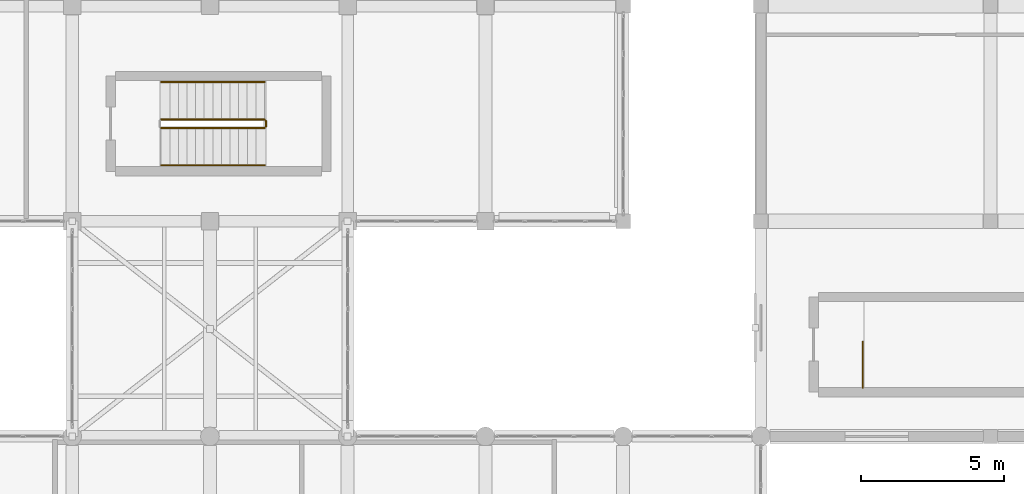
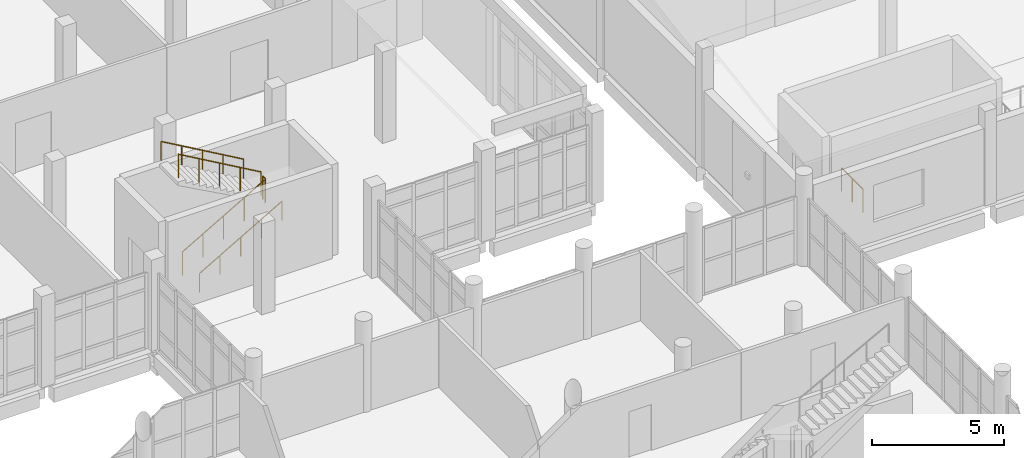
# One storey, part 161 of 164: 6 railings.
"""IFC4 building model written with IfcOpenShell, lengths in metres."""

from ifc_helpers import new_model, si_unit, direction, frame, origin, origin_2d, place, context, subcontext, project, spatial, circle, extrude, material, type_object, element, save


model = new_model("IFC4")

# Units and contexts
model_context = context("Model", 3, precision=1e-05, world=origin(), true_north=direction((0.0, 1.0)))
body_context = subcontext(model_context, "Body", "Model", "MODEL_VIEW")
ifc_project = project(units=[si_unit("LENGTHUNIT", "METRE"), si_unit("AREAUNIT", "SQUARE_METRE"), si_unit("VOLUMEUNIT", "CUBIC_METRE"), si_unit("PLANEANGLEUNIT", "RADIAN"), si_unit("MASSUNIT", "GRAM", prefix="KILO")], contexts=[model_context])

# Site, building, storey
site_placement = place(None, origin())
site = spatial("IfcSite", under=ifc_project, at=site_placement, CompositionType="ELEMENT")
building_placement = place(site_placement, origin())
building = spatial("IfcBuilding", under=site, at=building_placement, Name="Mawjan Specialist Oncology Clinic", CompositionType="ELEMENT")
storey_placement = place(building_placement, frame((0.0, 0.0, 5.0)))
storey = spatial("IfcBuildingStorey", under=building, at=storey_placement, Name="L01", CompositionType="ELEMENT", Elevation=5.0)

# Railings
ifc_material_1 = material(Name="Powder-coated steel stair guard with vertical infill pickets", Category="steel")
railing_type_1 = type_object("IfcRailingType", Name="GR-110", PredefinedType="GUARDRAIL", material=ifc_material_1)
railing_1_placement = place(storey_placement, frame((87.10009765625, 86.550048828125, 0.173095703125)))
element("IfcRailing", 1, at=railing_1_placement, inside=storey, type_object=railing_type_1, Name="L01 ST-04 stair guard 1", PredefinedType="GUARDRAIL", context=body_context, shape_type="SweptSolid", body=[
    extrude(circle(Radius=0.02392578125, at=origin_2d()), frame((0.0, 0.0, 1.076171875), z_axis=(0.866178740119, 0.0, 0.499734319579), x_axis=(0.0, 1.0, 0.0)), (0.0, 0.0, 1.0), 4.156005859375),
    extrude(circle(Radius=0.02099609375, at=origin_2d()), origin(), (0.0, 0.0, 1.0), 1.052001953125),
    extrude(circle(Radius=0.02099609375, at=origin_2d()), frame((0.89990234375, 0.0, 0.519287109375)), (0.0, 0.0, 1.0), 1.052001953125),
    extrude(circle(Radius=0.02099609375, at=origin_2d()), frame((1.7998046875, 0.0, 1.03857421875)), (0.0, 0.0, 1.0), 1.052001953125),
    extrude(circle(Radius=0.02099609375, at=origin_2d()), frame((2.699951171875, 0.0, 1.5576171875)), (0.0, 0.0, 1.0), 1.052001953125),
    extrude(circle(Radius=0.02099609375, at=origin_2d()), frame((3.599853515625, 0.0, 2.076904296875)), (0.0, 0.0, 1.0), 1.052001953125),
])
railing_2_placement = place(storey_placement, frame((90.75, 86.60009765625, 2.25)))
element("IfcRailing", 2, at=railing_2_placement, inside=storey, type_object=railing_type_1, Name="L01 ST-04 stair guard 2", PredefinedType="GUARDRAIL", context=body_context, shape_type="SweptSolid", body=[
    extrude(circle(Radius=0.02392578125, at=origin_2d()), frame((0.0, 0.0, 1.076171875), z_axis=(0.0, 1.0, 0.0), x_axis=(-1.0, 0.0, 0.0)), (0.0, 0.0, 1.0), 0.199951171875),
    extrude(circle(Radius=0.02099609375, at=origin_2d()), origin(), (0.0, 0.0, 1.0), 1.052001953125),
    extrude(circle(Radius=0.02099609375, at=origin_2d()), frame((0.0, 0.199951171875, 0.0)), (0.0, 0.0, 1.0), 1.052001953125),
])
railing_3_placement = place(storey_placement, frame((90.699951171875, 86.85009765625, 2.423095703125)))
element("IfcRailing", 3, at=railing_3_placement, inside=storey, type_object=railing_type_1, Name="L01 ST-04 stair guard 3", PredefinedType="GUARDRAIL", context=body_context, shape_type="SweptSolid", body=[
    extrude(circle(Radius=0.02392578125, at=origin_2d()), frame((0.0, 0.0, 1.076171875), z_axis=(-0.866178740119, 0.0, 0.499734319579), x_axis=(0.0, -1.0, 0.0)), (0.0, 0.0, 1.0), 4.156005859375),
    extrude(circle(Radius=0.02099609375, at=origin_2d()), origin(), (0.0, 0.0, 1.0), 1.052001953125),
    extrude(circle(Radius=0.02099609375, at=origin_2d()), frame((-0.89990234375, 0.0, 0.519287109375)), (0.0, 0.0, 1.0), 1.052001953125),
    extrude(circle(Radius=0.02099609375, at=origin_2d()), frame((-1.7998046875, 0.0, 1.03857421875)), (0.0, 0.0, 1.0), 1.052001953125),
    extrude(circle(Radius=0.02099609375, at=origin_2d()), frame((-2.699951171875, 0.0, 1.5576171875)), (0.0, 0.0, 1.0), 1.052001953125),
    extrude(circle(Radius=0.02099609375, at=origin_2d()), frame((-3.599853515625, 0.0, 2.076904296875)), (0.0, 0.0, 1.0), 1.052001953125),
])
railing_4_placement = place(storey_placement, frame((111.550048828125, 77.5, 0.0)))
element("IfcRailing", 4, at=railing_4_placement, inside=storey, type_object=railing_type_1, Name="L01 ST-08 top well guard 1", PredefinedType="GUARDRAIL", context=body_context, shape_type="SweptSolid", body=[
    extrude(circle(Radius=0.02392578125, at=origin_2d()), frame((0.0, 0.0, 1.076171875), z_axis=(0.0, 1.0, 0.0), x_axis=(-1.0, 0.0, 0.0)), (0.0, 0.0, 1.0), 1.60009765625),
    extrude(circle(Radius=0.02099609375, at=origin_2d()), origin(), (0.0, 0.0, 1.0), 1.052001953125),
    extrude(circle(Radius=0.02099609375, at=origin_2d()), frame((0.0, 0.800048828125, 0.0)), (0.0, 0.0, 1.0), 1.052001953125),
    extrude(circle(Radius=0.02099609375, at=origin_2d()), frame((0.0, 1.60009765625, 0.0)), (0.0, 0.0, 1.0), 1.052001953125),
])
ifc_material_2 = material(Name="Brushed stainless-steel tubular handrail", Category="steel")
railing_type_2 = type_object("IfcRailingType", Name="HR-090", PredefinedType="HANDRAIL", material=ifc_material_2)
railing_5_placement = place(storey_placement, frame((87.10009765625, 85.25, 0.173095703125)))
element("IfcRailing", 5, at=railing_5_placement, inside=storey, type_object=railing_type_2, Name="L01 ST-04 stair handrail 1", PredefinedType="HANDRAIL", context=body_context, shape_type="SweptSolid", body=[
    extrude(circle(Radius=0.02392578125, at=origin_2d()), frame((0.0, 0.0, 0.8759765625), z_axis=(0.866178740119, 0.0, 0.499734319579), x_axis=(0.0, 1.0, 0.0)), (0.0, 0.0, 1.0), 4.156005859375),
    extrude(circle(Radius=0.02099609375, at=origin_2d()), origin(), (0.0, 0.0, 1.0), 0.851806640625),
    extrude(circle(Radius=0.02099609375, at=origin_2d()), frame((0.89990234375, 0.0, 0.519287109375)), (0.0, 0.0, 1.0), 0.851806640625),
    extrude(circle(Radius=0.02099609375, at=origin_2d()), frame((1.7998046875, 0.0, 1.03857421875)), (0.0, 0.0, 1.0), 0.851806640625),
    extrude(circle(Radius=0.02099609375, at=origin_2d()), frame((2.699951171875, 0.0, 1.5576171875)), (0.0, 0.0, 1.0), 0.851806640625),
    extrude(circle(Radius=0.02099609375, at=origin_2d()), frame((3.599853515625, 0.0, 2.076904296875)), (0.0, 0.0, 1.0), 0.851806640625),
])
railing_6_placement = place(storey_placement, frame((90.699951171875, 88.14990234375, 2.423095703125)))
element("IfcRailing", 6, at=railing_6_placement, inside=storey, type_object=railing_type_2, Name="L01 ST-04 stair handrail 2", PredefinedType="HANDRAIL", context=body_context, shape_type="SweptSolid", body=[
    extrude(circle(Radius=0.02392578125, at=origin_2d()), frame((0.0, 0.0, 0.8759765625), z_axis=(-0.866178740119, 0.0, 0.499734319579), x_axis=(0.0, -1.0, 0.0)), (0.0, 0.0, 1.0), 4.156005859375),
    extrude(circle(Radius=0.02099609375, at=origin_2d()), origin(), (0.0, 0.0, 1.0), 0.851806640625),
    extrude(circle(Radius=0.02099609375, at=origin_2d()), frame((-0.89990234375, 0.0, 0.519287109375)), (0.0, 0.0, 1.0), 0.851806640625),
    extrude(circle(Radius=0.02099609375, at=origin_2d()), frame((-1.7998046875, 0.0, 1.03857421875)), (0.0, 0.0, 1.0), 0.851806640625),
    extrude(circle(Radius=0.02099609375, at=origin_2d()), frame((-2.699951171875, 0.0, 1.5576171875)), (0.0, 0.0, 1.0), 0.851806640625),
    extrude(circle(Radius=0.02099609375, at=origin_2d()), frame((-3.599853515625, 0.0, 2.076904296875)), (0.0, 0.0, 1.0), 0.851806640625),
])

save(model, "model.ifc")
